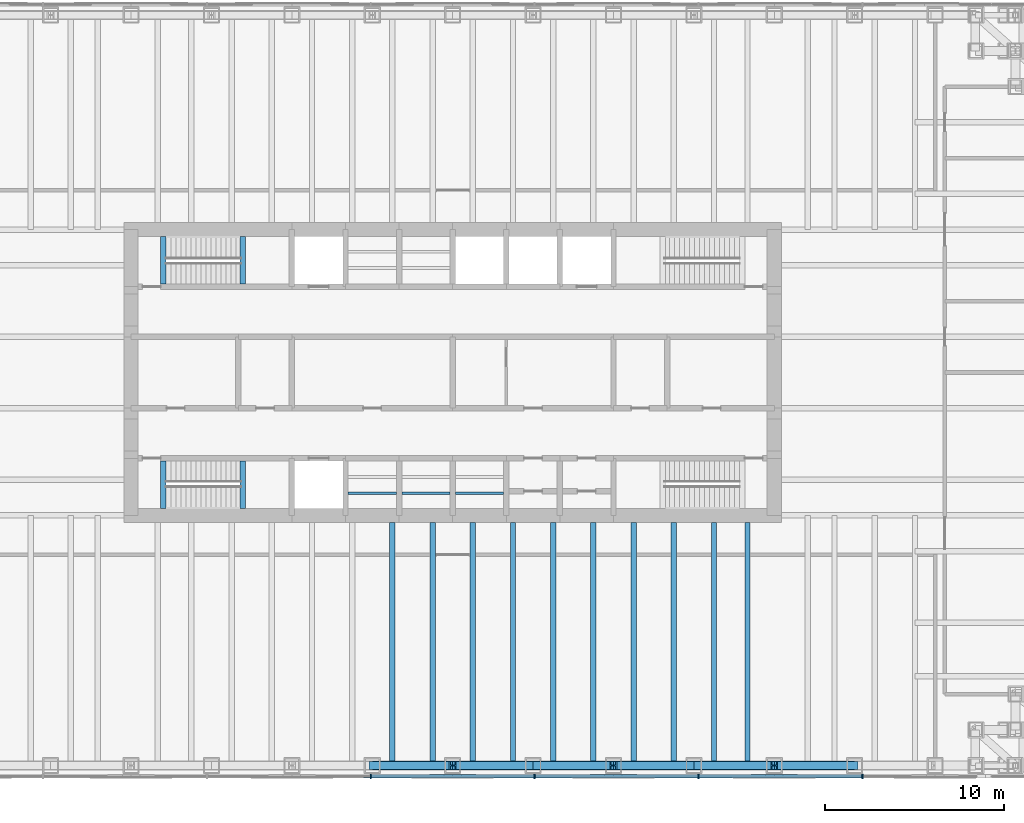
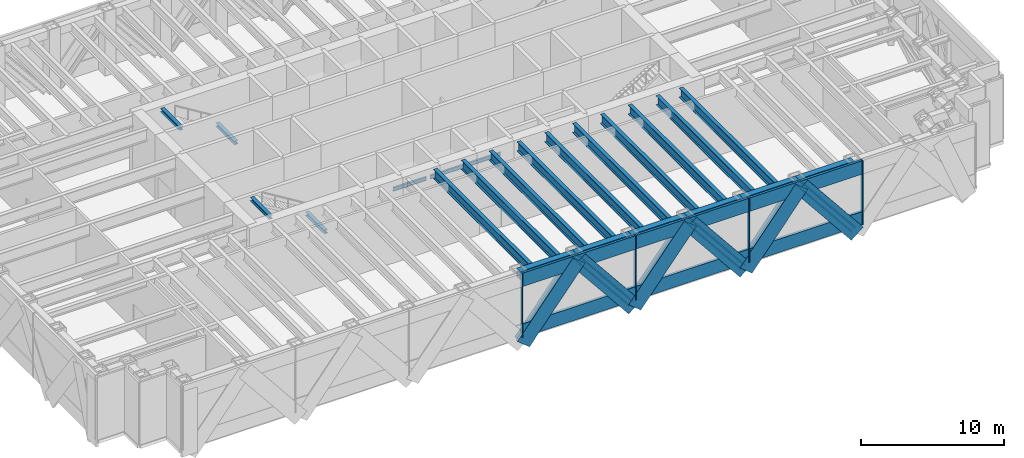
# One storey, part 3 of 17: 23 beams, 22 members, 1 element without a shape of its own.
"""IFC4 building model written with IfcOpenShell, lengths in metres."""

import ifcopenshell
import ifcopenshell.guid

model = None  # the IFC model being written
_history = None  # IfcOwnerHistory: only IFC2X3 demands one
_inside = {}  # id of a spatial element -> (the spatial element, [elements in it])
_under = {}  # id of a project, library or spatial element -> (it, [spatial elements below it])
_declared = {}  # id of a project -> (the project, [libraries it declares])
_typed = {}  # id of a type object -> (the type object, [elements of that type])
_made_of = {}  # id of a material, layer set ... -> (it, [elements and type objects made of it])


def new_model(schema):
    """Start an empty IFC model of exactly this schema.

    Asked for "IFC4X3", IfcOpenShell would pick the latest addendum, in which some entities
    have other attributes; the version numbers below select the first issue.
    IFC2X3 requires an IfcOwnerHistory on every rooted entity: one is made here for all.
    """
    global model, _history
    if schema == "IFC4X3":
        model = ifcopenshell.file(schema_version=(4, 3, 0, 0))
    else:
        model = ifcopenshell.file(schema=schema)
    _inside.clear()
    _under.clear()
    _declared.clear()
    _typed.clear()
    _made_of.clear()
    _history = None
    if model.schema == "IFC2X3":
        org = make("IfcOrganization", Name="unknown")
        user = make(
            "IfcPersonAndOrganization",
            ThePerson=make("IfcPerson", FamilyName="unknown"),
            TheOrganization=org,
        )
        app = make(
            "IfcApplication",
            ApplicationDeveloper=org,
            Version="unknown",
            ApplicationFullName="unknown",
            ApplicationIdentifier="unknown",
        )
        _history = make(
            "IfcOwnerHistory",
            OwningUser=user,
            OwningApplication=app,
            ChangeAction="ADDED",
            CreationDate=0,
        )
    return model


def make(cls, **values):
    """One entity of the class cls with the attributes given. An attribute that is None is left unset."""
    return model.create_entity(
        cls, **{name: value for name, value in values.items() if value is not None}
    )


def rooted(cls, **values):
    """An entity with a GlobalId (a new one), such as an element, a storey or a relation."""
    return make(cls, GlobalId=ifcopenshell.guid.new(), OwnerHistory=_history, **values)


def si_unit(unit_type, name, prefix=None):
    """IfcSIUnit, for example si_unit("LENGTHUNIT", "METRE", prefix="MILLI")."""
    return make("IfcSIUnit", UnitType=unit_type, Prefix=prefix, Name=name)


def assignment(units):
    """IfcUnitAssignment: the units of a project."""
    return None if units is None else make("IfcUnitAssignment", Units=units)


def point(xyz):
    """IfcCartesianPoint."""
    return None if xyz is None else make("IfcCartesianPoint", Coordinates=xyz)


def direction(xyz):
    """IfcDirection."""
    return None if xyz is None else make("IfcDirection", DirectionRatios=xyz)


def frame(location, z_axis=None, x_axis=None):
    """IfcAxis2Placement3D, a coordinate frame: its origin and axes. An axis left out is left unset."""
    return make(
        "IfcAxis2Placement3D",
        Location=point(location),
        Axis=direction(z_axis),
        RefDirection=direction(x_axis),
    )


def frame_2d(location, x_axis=None):
    """IfcAxis2Placement2D, a coordinate frame in the plane: its origin and x axis."""
    return make(
        "IfcAxis2Placement2D", Location=point(location), RefDirection=direction(x_axis)
    )


def origin():
    """The frame at (0, 0, 0) with its axes left unset."""
    return frame((0.0, 0.0, 0.0))


def origin_2d():
    """The frame at (0, 0) in the plane with its x axis left unset."""
    return frame_2d((0.0, 0.0))


def place(relative_to, where):
    """IfcLocalPlacement: puts the frame where relative to a parent placement (None: the world)."""
    return make(
        "IfcLocalPlacement", PlacementRelTo=relative_to, RelativePlacement=where
    )


def context(
    kind, dimensions, precision=None, world=None, true_north=None, identifier=None
):
    """IfcGeometricRepresentationContext, for example the 3D "Model" context."""
    return make(
        "IfcGeometricRepresentationContext",
        ContextIdentifier=identifier,
        ContextType=kind,
        CoordinateSpaceDimension=dimensions,
        Precision=precision,
        WorldCoordinateSystem=world,
        TrueNorth=true_north,
    )


def subcontext(parent, identifier, kind, view, scale=None):
    """IfcGeometricRepresentationSubContext, for example "Body" below "Model"."""
    return make(
        "IfcGeometricRepresentationSubContext",
        ContextIdentifier=identifier,
        ContextType=kind,
        ParentContext=parent,
        TargetScale=scale,
        TargetView=view,
    )


def project(units=None, contexts=None):
    """IfcProject with its units and contexts."""
    return rooted(
        "IfcProject",
        Name="project",
        RepresentationContexts=contexts,
        UnitsInContext=assignment(units),
    )


def spatial(cls, under=None, at=None, **own):
    """A site, building, storey or space (cls), placed at a placement, below another one or the project."""
    s = rooted(cls, ObjectPlacement=at, **own)
    if under is not None:
        _under.setdefault(under.id(), (under, []))[1].append(s)
    return s


def profile(cls, at=None, kind="AREA", **sizes):
    """A parametric profile (cls). Its sizes go by their IFC names, for example OverallWidth=200.0."""
    return make(cls, ProfileType=kind, Position=at, **sizes)


def rectangle(**sizes):
    """IfcRectangleProfileDef."""
    return profile("IfcRectangleProfileDef", **sizes)


def hollow_rectangle(**sizes):
    """IfcRectangleHollowProfileDef."""
    return profile("IfcRectangleHollowProfileDef", **sizes)


def i_section(**sizes):
    """IfcIShapeProfileDef."""
    return profile("IfcIShapeProfileDef", **sizes)


def extrude(swept, where, along, depth):
    """IfcExtrudedAreaSolid: the profile swept, set in the frame where, extruded along a direction by depth."""
    return make(
        "IfcExtrudedAreaSolid",
        SweptArea=swept,
        Position=where,
        ExtrudedDirection=direction(along),
        Depth=depth,
    )


def shape(context_of_items, identifier, shape_type, items):
    """IfcShapeRepresentation: the items that make up one representation, for example the "Body"."""
    return make(
        "IfcShapeRepresentation",
        ContextOfItems=context_of_items,
        RepresentationIdentifier=identifier,
        RepresentationType=shape_type,
        Items=items,
    )


def material(Name=None, Category=None):
    """IfcMaterial."""
    return make("IfcMaterial", Name=Name, Category=Category)


def material_profile(
    of_material, cross_section, Name=None, Category=None, Priority=None
):
    """IfcMaterialProfile: a cross section and its material."""
    return make(
        "IfcMaterialProfile",
        Name=Name,
        Material=of_material,
        Profile=cross_section,
        Priority=Priority,
        Category=Category,
    )


def profile_set(profiles, Name=None, composite=None):
    """IfcMaterialProfileSet."""
    return make(
        "IfcMaterialProfileSet",
        Name=Name,
        MaterialProfiles=profiles,
        CompositeProfile=composite,
    )


def made_of(thing, what):
    """Note that an element or type object is made of a material, layer set ...; save() writes the relation."""
    if what is not None:
        _made_of.setdefault(what.id(), (what, []))[1].append(thing)
    return thing


def type_object(cls, material=None, **own):
    """A type object (cls), such as IfcWallType, which elements share."""
    return made_of(rooted(cls, **own), material)


def element(
    cls,
    number,
    at=None,
    inside=None,
    cuts=None,
    type_object=None,
    material=None,
    context=None,
    identifier="Body",
    shape_type=None,
    held_by="IfcProductDefinitionShape",
    body=None,
    shapes=None,
    **own,
):
    """One element of the class cls, such as IfcWall. Its Tag is "e" and its number.

    at: its placement. inside: the storey or other place that contains it. cuts: it is an
    opening in that element (IfcRelVoidsElement). A single representation is given by context,
    identifier, shape_type and body (its items); several are given by shapes. held_by: the class
    of the entity that holds the representations. save() writes the other relations.
    """
    e = rooted(cls, Tag="e%d" % number, ObjectPlacement=at, **own)
    if body is not None:
        shapes = [shape(context, identifier, shape_type, body)]
    if shapes is not None:
        e.Representation = make(held_by, Representations=shapes)
    if inside is not None:
        _inside.setdefault(inside.id(), (inside, []))[1].append(e)
    if cuts is not None:
        rooted(
            "IfcRelVoidsElement", RelatingBuildingElement=cuts, RelatedOpeningElement=e
        )
    if type_object is not None:
        _typed.setdefault(type_object.id(), (type_object, []))[1].append(e)
    return made_of(e, material)


def aggregate(whole, parts):
    """IfcRelAggregates: a whole, such as a stair, and the parts it consists of."""
    return rooted("IfcRelAggregates", RelatingObject=whole, RelatedObjects=parts)


def save(model, path):
    """Write the relations noted so far, then the file.

    IfcRelAggregates (storeys below a building ...), IfcRelContainedInSpatialStructure (elements
    in a storey), IfcRelDefinesByType, IfcRelAssociatesMaterial and IfcRelDeclares: one each for
    every whole, place, type object, material and project.
    """
    for whole, parts in _under.values():
        aggregate(whole, parts)
    for where, things in _inside.values():
        rooted(
            "IfcRelContainedInSpatialStructure",
            RelatedElements=things,
            RelatingStructure=where,
        )
    for kind, things in _typed.values():
        rooted("IfcRelDefinesByType", RelatedObjects=things, RelatingType=kind)
    for what, things in _made_of.values():
        rooted("IfcRelAssociatesMaterial", RelatedObjects=things, RelatingMaterial=what)
    for by, libraries in _declared.values():
        rooted("IfcRelDeclares", RelatingContext=by, RelatedDefinitions=libraries)
    model.write(path)


model = new_model("IFC4")

# Units and contexts
model_context = context("Model", 3, precision=1e-05, world=origin(), true_north=direction((0.0, 1.0)))
body_context = subcontext(model_context, "Body", "Model", "MODEL_VIEW")
ifc_project = project(units=[si_unit("LENGTHUNIT", "METRE"), si_unit("AREAUNIT", "SQUARE_METRE"), si_unit("VOLUMEUNIT", "CUBIC_METRE"), si_unit("PLANEANGLEUNIT", "RADIAN"), si_unit("MASSUNIT", "GRAM", prefix="KILO")], contexts=[model_context])

# Site, building, storey
site_placement = place(None, origin())
site = spatial("IfcSite", under=ifc_project, at=site_placement, CompositionType="ELEMENT")
building_placement = place(site_placement, origin())
building = spatial("IfcBuilding", under=site, at=building_placement, Name="Rheinbord Bourse Tower", CompositionType="ELEMENT")
storey_placement = place(building_placement, frame((0.0, 0.0, 265.60009765625)))
storey = spatial("IfcBuildingStorey", under=building, at=storey_placement, Name="L60", CompositionType="ELEMENT", Elevation=265.60009765625)

# Beams
ifc_material_1 = material(Name="Steel S460M", Category="steel")
ifc_material_profile_1 = material_profile(ifc_material_1, hollow_rectangle(XDim=0.5, YDim=0.699951171875, WallThickness=0.0400390625, at=origin_2d()), Name="BOX 700x500x40")
ifc_profile_set_1 = profile_set([ifc_material_profile_1], Name="Steel S460M")
beam_type_1 = type_object("IfcBeamType", Name="BELT CHORD BOX 700x500x40", PredefinedType="SPANDREL", material=ifc_profile_set_1)
for number, where, z_axis, x_axis, name in (
    (1, (31.5, 2.0, 4.989990234375), (1.0, 0.0, 0.0), (0.0, 1.0, 0.0), "Spandrel S-31.5-S-36 under L61"),
    (2, (36.0, 2.0, 4.989990234375), (1.0, 0.0, 0.0), (0.0, 1.0, 0.0), "Spandrel S-36-S-40.5 under L61"),
    (3, (40.5, 2.0, 4.989990234375), (1.0, 0.0, 0.0), (0.0, 1.0, 0.0), "Spandrel S-40.5-S-45 under L61"),
    (4, (45.0, 2.0, 4.989990234375), (1.0, 0.0, 0.0), (0.0, 1.0, 0.0), "Spandrel S-45-S-49.5 under L61"),
    (5, (49.5, 2.0, 4.989990234375), (1.0, 0.0, 0.0), (0.0, 1.0, 0.0), "Spandrel S-49.5-S-54 under L61"),
    (6, (54.0, 2.0, 4.989990234375), (1.0, 0.0, 0.0), (0.0, 1.0, 0.0), "Spandrel S-54-S-58.5 under L61"),
):
    element("IfcBeam", number, at=place(storey_placement, frame(where, z_axis=z_axis, x_axis=x_axis)), inside=storey, type_object=beam_type_1, Name=name, PredefinedType="SPANDREL", context=body_context, shape_type="SweptSolid", body=[
        extrude(hollow_rectangle(XDim=0.5, YDim=0.699951171875, WallThickness=0.0400390625, at=origin_2d()), origin(), (0.0, 0.0, 1.0), 4.5),
    ])

# Members
ifc_material_2 = material(Name="Steel S460", Category="steel")
ifc_material_profile_2 = material_profile(ifc_material_2, i_section(OverallWidth=0.431884765625, OverallDepth=0.498046875, WebThickness=0.0556640625, FlangeThickness=0.0888671875, at=origin_2d()), Name="HD 400x744")
ifc_profile_set_2 = profile_set([ifc_material_profile_2], Name="Steel S460")
member_type_1 = type_object("IfcMemberType", Name="BELT DIAGONAL HD 400x744", PredefinedType="STRUT", material=ifc_profile_set_2)
for number, where, z_axis, x_axis, name in (
    (7, (31.5, 2.0, -0.60009765625), (0.627065297878, 0.0, 0.778966695178), (0.0, 1.0, 0.0), "Belt truss diagonal S-31.5-S-36 L60"),
    (8, (40.5, 2.0, -0.60009765625), (-0.627065297878, 0.0, 0.778966695178), (0.0, -1.0, 0.0), "Belt truss diagonal S-36-S-40.5 L60"),
    (9, (40.5, 2.0, -0.60009765625), (0.627065297878, 0.0, 0.778966695178), (0.0, 1.0, 0.0), "Belt truss diagonal S-40.5-S-45 L60"),
    (10, (49.5, 2.0, -0.60009765625), (-0.627065297878, 0.0, 0.778966695178), (0.0, -1.0, 0.0), "Belt truss diagonal S-45-S-49.5 L60"),
    (11, (49.5, 2.0, -0.60009765625), (0.627065297878, 0.0, 0.778966695178), (0.0, 1.0, 0.0), "Belt truss diagonal S-49.5-S-54 L60"),
    (12, (58.5, 2.0, -0.60009765625), (-0.627065297878, 0.0, 0.778966695178), (0.0, -1.0, 0.0), "Belt truss diagonal S-54-S-58.5 L60"),
):
    element("IfcMember", number, at=place(storey_placement, frame(where, z_axis=z_axis, x_axis=x_axis)), inside=storey, type_object=member_type_1, Name=name, PredefinedType="STRUT", context=body_context, shape_type="SweptSolid", body=[
        extrude(i_section(OverallWidth=0.431884765625, OverallDepth=0.498046875, WebThickness=0.0556640625, FlangeThickness=0.0888671875, at=origin_2d()), origin(), (0.0, 0.0, 1.0), 7.17626953125),
    ])

# Curtain wall, members
ifc_material_3 = material(Name="Dark glass and black aluminium", Category="aluminium")
curtain_wall_type = type_object("IfcCurtainWallType", Name="CW5 DARK GLASS CURTAIN WALL", PredefinedType="USERDEFINED", material=ifc_material_3)
curtain_wall_placement = place(storey_placement, origin())
curtain_wall = element("IfcCurtainWall", 13, at=curtain_wall_placement, inside=storey, type_object=curtain_wall_type, Name="Curtain wall CW5 S L60", ObjectType="UNITISED CURTAIN WALL", PredefinedType="USERDEFINED")
ifc_material_4 = material(Name="Black anodised aluminium", Category="aluminium")
ifc_material_profile_3 = material_profile(ifc_material_4, rectangle(XDim=0.199951171875, YDim=1.259033203125, at=origin_2d()), Name="CW5 DIAGONAL MULLION 1259x200")
ifc_profile_set_3 = profile_set([ifc_material_profile_3], Name="Black anodised aluminium")
member_type_2 = type_object("IfcMemberType", Name="CW5 BLACK DIAGONAL MULLION", PredefinedType="USERDEFINED", material=ifc_profile_set_3)
member_1_placement = place(storey_placement, frame((31.5, 1.39990234375, -0.60009765625), z_axis=(0.627065297878, 0.0, 0.778966695178), x_axis=(0.0, 1.0, 0.0)))
member_1 = element("IfcMember", 14, at=member_1_placement, type_object=member_type_2, Name="CW5 diagonal mullion belt S-31.5", ObjectType="DIAGONAL MULLION", PredefinedType="USERDEFINED", context=body_context, shape_type="SweptSolid", body=[
    extrude(rectangle(XDim=0.199951171875, YDim=1.259033203125, at=origin_2d()), origin(), (0.0, 0.0, 1.0), 7.17626953125),
])
member_2_placement = place(storey_placement, frame((40.5, 1.39990234375, -0.60009765625), z_axis=(-0.627065297878, 0.0, 0.778966695178), x_axis=(0.0, -1.0, 0.0)))
member_2 = element("IfcMember", 15, at=member_2_placement, type_object=member_type_2, Name="CW5 diagonal mullion belt S-36", ObjectType="DIAGONAL MULLION", PredefinedType="USERDEFINED", context=body_context, shape_type="SweptSolid", body=[
    extrude(rectangle(XDim=0.199951171875, YDim=1.259033203125, at=origin_2d()), origin(), (0.0, 0.0, 1.0), 7.17626953125),
])
member_3_placement = place(storey_placement, frame((40.5, 1.39990234375, -0.60009765625), z_axis=(0.627065297878, 0.0, 0.778966695178), x_axis=(0.0, 1.0, 0.0)))
member_3 = element("IfcMember", 16, at=member_3_placement, type_object=member_type_2, Name="CW5 diagonal mullion belt S-40.5", ObjectType="DIAGONAL MULLION", PredefinedType="USERDEFINED", context=body_context, shape_type="SweptSolid", body=[
    extrude(rectangle(XDim=0.199951171875, YDim=1.259033203125, at=origin_2d()), origin(), (0.0, 0.0, 1.0), 7.17626953125),
])
member_4_placement = place(storey_placement, frame((49.5, 1.39990234375, -0.60009765625), z_axis=(-0.627065297878, 0.0, 0.778966695178), x_axis=(0.0, -1.0, 0.0)))
member_4 = element("IfcMember", 17, at=member_4_placement, type_object=member_type_2, Name="CW5 diagonal mullion belt S-45", ObjectType="DIAGONAL MULLION", PredefinedType="USERDEFINED", context=body_context, shape_type="SweptSolid", body=[
    extrude(rectangle(XDim=0.199951171875, YDim=1.259033203125, at=origin_2d()), origin(), (0.0, 0.0, 1.0), 7.17626953125),
])
member_5_placement = place(storey_placement, frame((49.5, 1.39990234375, -0.60009765625), z_axis=(0.627065297878, 0.0, 0.778966695178), x_axis=(0.0, 1.0, 0.0)))
member_5 = element("IfcMember", 18, at=member_5_placement, type_object=member_type_2, Name="CW5 diagonal mullion belt S-49.5", ObjectType="DIAGONAL MULLION", PredefinedType="USERDEFINED", context=body_context, shape_type="SweptSolid", body=[
    extrude(rectangle(XDim=0.199951171875, YDim=1.259033203125, at=origin_2d()), origin(), (0.0, 0.0, 1.0), 7.17626953125),
])
member_6_placement = place(storey_placement, frame((58.5, 1.39990234375, -0.60009765625), z_axis=(-0.627065297878, 0.0, 0.778966695178), x_axis=(0.0, -1.0, 0.0)))
member_6 = element("IfcMember", 19, at=member_6_placement, type_object=member_type_2, Name="CW5 diagonal mullion belt S-54", ObjectType="DIAGONAL MULLION", PredefinedType="USERDEFINED", context=body_context, shape_type="SweptSolid", body=[
    extrude(rectangle(XDim=0.199951171875, YDim=1.259033203125, at=origin_2d()), origin(), (0.0, 0.0, 1.0), 7.17626953125),
])
ifc_material_5 = material(Name="Black anodised aluminium", Category="aluminium")
ifc_material_profile_4 = material_profile(ifc_material_5, rectangle(XDim=0.25, YDim=0.080078125, at=origin_2d()), Name="CW5 MULLION 80x250")
ifc_profile_set_4 = profile_set([ifc_material_profile_4], Name="Black anodised aluminium")
member_type_3 = type_object("IfcMemberType", Name="CW5 BLACK MULLION", PredefinedType="MULLION", material=ifc_profile_set_4)
member_7_placement = place(storey_placement, frame((31.414306640625, 1.39990234375, 0.0), z_axis=(0.0, 0.0, 1.0), x_axis=(0.0, 1.0, 0.0)))
member_7 = element("IfcMember", 20, at=member_7_placement, type_object=member_type_3, Name="CW5 mullion 4", PredefinedType="MULLION", context=body_context, shape_type="SweptSolid", body=[
    extrude(rectangle(XDim=0.25, YDim=0.080078125, at=origin_2d()), origin(), (0.0, 0.0, 1.0), 5.5),
])
member_8_placement = place(storey_placement, frame((40.585693359375, 1.39990234375, 0.0), z_axis=(0.0, 0.0, 1.0), x_axis=(0.0, 1.0, 0.0)))
member_8 = element("IfcMember", 21, at=member_8_placement, type_object=member_type_3, Name="CW5 mullion 5", PredefinedType="MULLION", context=body_context, shape_type="SweptSolid", body=[
    extrude(rectangle(XDim=0.25, YDim=0.080078125, at=origin_2d()), origin(), (0.0, 0.0, 1.0), 5.5),
])
member_9_placement = place(storey_placement, frame((49.757080078125, 1.39990234375, 0.0), z_axis=(0.0, 0.0, 1.0), x_axis=(0.0, 1.0, 0.0)))
member_9 = element("IfcMember", 22, at=member_9_placement, type_object=member_type_3, Name="CW5 mullion 6", PredefinedType="MULLION", context=body_context, shape_type="SweptSolid", body=[
    extrude(rectangle(XDim=0.25, YDim=0.080078125, at=origin_2d()), origin(), (0.0, 0.0, 1.0), 5.5),
])
member_10_placement = place(storey_placement, frame((58.928466796875, 1.39990234375, 0.0), z_axis=(0.0, 0.0, 1.0), x_axis=(0.0, 1.0, 0.0)))
member_10 = element("IfcMember", 23, at=member_10_placement, type_object=member_type_3, Name="CW5 mullion 7", PredefinedType="MULLION", context=body_context, shape_type="SweptSolid", body=[
    extrude(rectangle(XDim=0.25, YDim=0.080078125, at=origin_2d()), origin(), (0.0, 0.0, 1.0), 5.5),
])
ifc_material_6 = material(Name="Black anodised aluminium", Category="aluminium")
ifc_material_profile_5 = material_profile(ifc_material_6, rectangle(XDim=0.199951171875, YDim=1.14990234375, at=origin_2d()), Name="CW5 TRANSOM 1150x200")
ifc_profile_set_5 = profile_set([ifc_material_profile_5], Name="Black anodised aluminium")
member_type_4 = type_object("IfcMemberType", Name="CW5 BLACK TRANSOM", PredefinedType="USERDEFINED", material=ifc_profile_set_5)
member_11_placement = place(storey_placement, frame((31.454345703125, 1.39990234375, 0.574951171875), z_axis=(1.0, 0.0, 0.0), x_axis=(0.0, 1.0, 0.0)))
member_11 = element("IfcMember", 24, at=member_11_placement, type_object=member_type_4, Name="CW5 transom 4.1", ObjectType="TRANSOM", PredefinedType="USERDEFINED", context=body_context, shape_type="SweptSolid", body=[
    extrude(rectangle(XDim=0.199951171875, YDim=1.14990234375, at=origin_2d()), origin(), (0.0, 0.0, 1.0), 9.09130859375),
])
member_12_placement = place(storey_placement, frame((31.454345703125, 1.39990234375, 4.9248046875), z_axis=(1.0, 0.0, 0.0), x_axis=(0.0, 1.0, 0.0)))
member_12 = element("IfcMember", 25, at=member_12_placement, type_object=member_type_4, Name="CW5 transom 4.2", ObjectType="TRANSOM", PredefinedType="USERDEFINED", context=body_context, shape_type="SweptSolid", body=[
    extrude(rectangle(XDim=0.199951171875, YDim=1.14990234375, at=origin_2d()), origin(), (0.0, 0.0, 1.0), 9.09130859375),
])
member_13_placement = place(storey_placement, frame((40.625732421875, 1.39990234375, 0.574951171875), z_axis=(1.0, 0.0, 0.0), x_axis=(0.0, 1.0, 0.0)))
member_13 = element("IfcMember", 26, at=member_13_placement, type_object=member_type_4, Name="CW5 transom 5.1", ObjectType="TRANSOM", PredefinedType="USERDEFINED", context=body_context, shape_type="SweptSolid", body=[
    extrude(rectangle(XDim=0.199951171875, YDim=1.14990234375, at=origin_2d()), origin(), (0.0, 0.0, 1.0), 9.09130859375),
])
member_14_placement = place(storey_placement, frame((40.625732421875, 1.39990234375, 4.9248046875), z_axis=(1.0, 0.0, 0.0), x_axis=(0.0, 1.0, 0.0)))
member_14 = element("IfcMember", 27, at=member_14_placement, type_object=member_type_4, Name="CW5 transom 5.2", ObjectType="TRANSOM", PredefinedType="USERDEFINED", context=body_context, shape_type="SweptSolid", body=[
    extrude(rectangle(XDim=0.199951171875, YDim=1.14990234375, at=origin_2d()), origin(), (0.0, 0.0, 1.0), 9.09130859375),
])
member_15_placement = place(storey_placement, frame((49.797119140625, 1.39990234375, 0.574951171875), z_axis=(1.0, 0.0, 0.0), x_axis=(0.0, 1.0, 0.0)))
member_15 = element("IfcMember", 28, at=member_15_placement, type_object=member_type_4, Name="CW5 transom 6.1", ObjectType="TRANSOM", PredefinedType="USERDEFINED", context=body_context, shape_type="SweptSolid", body=[
    extrude(rectangle(XDim=0.199951171875, YDim=1.14990234375, at=origin_2d()), origin(), (0.0, 0.0, 1.0), 9.091552734375),
])
member_16_placement = place(storey_placement, frame((49.797119140625, 1.39990234375, 4.9248046875), z_axis=(1.0, 0.0, 0.0), x_axis=(0.0, 1.0, 0.0)))
member_16 = element("IfcMember", 29, at=member_16_placement, type_object=member_type_4, Name="CW5 transom 6.2", ObjectType="TRANSOM", PredefinedType="USERDEFINED", context=body_context, shape_type="SweptSolid", body=[
    extrude(rectangle(XDim=0.199951171875, YDim=1.14990234375, at=origin_2d()), origin(), (0.0, 0.0, 1.0), 9.091552734375),
])
aggregate(curtain_wall, [member_7, member_8, member_9, member_10, member_11, member_12, member_13, member_14, member_15, member_16, member_1, member_2, member_3, member_4, member_5, member_6])

# Beams
ifc_material_7 = material(Name="Steel S460", Category="steel")
ifc_material_profile_6 = material_profile(ifc_material_7, i_section(OverallWidth=0.300048828125, OverallDepth=0.800048828125, WebThickness=0.017578125, FlangeThickness=0.032958984375, at=origin_2d()), Name="HEB 800")
ifc_profile_set_6 = profile_set([ifc_material_profile_6], Name="Steel S460")
beam_type_2 = type_object("IfcBeamType", Name="FLOOR BEAM HEB 800", PredefinedType="BEAM", material=ifc_profile_set_6)
for number, where, z_axis, x_axis, name in (
    (30, (32.625, 2.0, 4.93994140625), (0.0, 1.0, 0.0), (-1.0, 0.0, 0.0), "Floor beam S-31.5a L61"),
    (31, (34.875, 2.0, 4.93994140625), (0.0, 1.0, 0.0), (-1.0, 0.0, 0.0), "Floor beam S-31.5b L61"),
    (32, (37.125, 2.0, 4.93994140625), (0.0, 1.0, 0.0), (-1.0, 0.0, 0.0), "Floor beam S-36a L61"),
    (33, (39.375, 2.0, 4.93994140625), (0.0, 1.0, 0.0), (-1.0, 0.0, 0.0), "Floor beam S-36b L61"),
    (34, (41.625, 2.0, 4.93994140625), (0.0, 1.0, 0.0), (-1.0, 0.0, 0.0), "Floor beam S-40.5a L61"),
    (35, (43.875, 2.0, 4.93994140625), (0.0, 1.0, 0.0), (-1.0, 0.0, 0.0), "Floor beam S-40.5b L61"),
    (36, (46.125, 2.0, 4.93994140625), (0.0, 1.0, 0.0), (-1.0, 0.0, 0.0), "Floor beam S-45a L61"),
    (37, (48.375, 2.0, 4.93994140625), (0.0, 1.0, 0.0), (-1.0, 0.0, 0.0), "Floor beam S-45b L61"),
    (38, (50.625, 2.0, 4.93994140625), (0.0, 1.0, 0.0), (-1.0, 0.0, 0.0), "Floor beam S-49.5a L61"),
    (39, (52.5, 2.0, 4.93994140625), (0.0, 1.0, 0.0), (-1.0, 0.0, 0.0), "Floor beam S-49.5b L61"),
):
    element("IfcBeam", number, at=place(storey_placement, frame(where, z_axis=z_axis, x_axis=x_axis)), inside=storey, type_object=beam_type_2, Name=name, PredefinedType="BEAM", context=body_context, shape_type="SweptSolid", body=[
        extrude(i_section(OverallWidth=0.300048828125, OverallDepth=0.800048828125, WebThickness=0.017578125, FlangeThickness=0.032958984375, at=origin_2d()), origin(), (0.0, 0.0, 1.0), 13.60009765625),
    ])
ifc_material_8 = material(Name="Steel S460", Category="steel")
ifc_material_profile_7 = material_profile(ifc_material_8, i_section(OverallWidth=0.300048828125, OverallDepth=0.300048828125, WebThickness=0.010986328125, FlangeThickness=0.01904296875, at=origin_2d()), Name="HEB 300")
ifc_profile_set_7 = profile_set([ifc_material_profile_7], Name="Steel S460")
beam_type_3 = type_object("IfcBeamType", Name="LANDING TRIMMER HEB 300", PredefinedType="BEAM", material=ifc_profile_set_7)
for number, where, z_axis, x_axis, name in (
    (40, (24.25, 16.39990234375, 2.39990234375), (0.0, 1.0, 0.0), (-1.0, 0.0, 0.0), "Landing trimmer ST1 L60"),
    (41, (19.800048828125, 16.39990234375, 5.18994140625), (0.0, 1.0, 0.0), (-1.0, 0.0, 0.0), "Well trimmer ST1 under L61"),
    (42, (24.25, 28.949951171875, 2.39990234375), (0.0, 1.0, 0.0), (-1.0, 0.0, 0.0), "Landing trimmer ST2 L60"),
    (43, (19.800048828125, 28.949951171875, 5.18994140625), (0.0, 1.0, 0.0), (-1.0, 0.0, 0.0), "Well trimmer ST2 under L61"),
):
    element("IfcBeam", number, at=place(storey_placement, frame(where, z_axis=z_axis, x_axis=x_axis)), inside=storey, type_object=beam_type_3, Name=name, PredefinedType="BEAM", context=body_context, shape_type="SweptSolid", body=[
        extrude(i_section(OverallWidth=0.300048828125, OverallDepth=0.300048828125, WebThickness=0.010986328125, FlangeThickness=0.01904296875, at=origin_2d()), origin(), (0.0, 0.0, 1.0), 2.650146484375),
    ])
ifc_material_9 = material(Name="Steel S460", Category="steel")
ifc_material_profile_8 = material_profile(ifc_material_9, i_section(OverallWidth=0.14990234375, OverallDepth=0.300048828125, WebThickness=0.007080078125, FlangeThickness=0.0107421875, at=origin_2d()), Name="IPE 300")
ifc_profile_set_8 = profile_set([ifc_material_profile_8], Name="Steel S460")
beam_type_4 = type_object("IfcBeamType", Name="PIT BEAM IPE 300", PredefinedType="BEAM", material=ifc_profile_set_8)
for number, where, z_axis, x_axis, name in (
    (44, (30.14990234375, 17.25, 3.449951171875), (1.0, 0.0, 0.0), (0.0, 1.0, 0.0), "Pit beam 1 PD1"),
    (45, (33.14990234375, 17.25, 3.449951171875), (1.0, 0.0, 0.0), (0.0, 1.0, 0.0), "Pit beam 1 PD2"),
    (46, (36.14990234375, 17.25, 3.449951171875), (1.0, 0.0, 0.0), (0.0, 1.0, 0.0), "Pit beam 1 PD3"),
):
    element("IfcBeam", number, at=place(storey_placement, frame(where, z_axis=z_axis, x_axis=x_axis)), inside=storey, type_object=beam_type_4, Name=name, PredefinedType="BEAM", context=body_context, shape_type="SweptSolid", body=[
        extrude(i_section(OverallWidth=0.14990234375, OverallDepth=0.300048828125, WebThickness=0.007080078125, FlangeThickness=0.0107421875, at=origin_2d()), origin(), (0.0, 0.0, 1.0), 2.7001953125),
    ])

save(model, "model.ifc")
